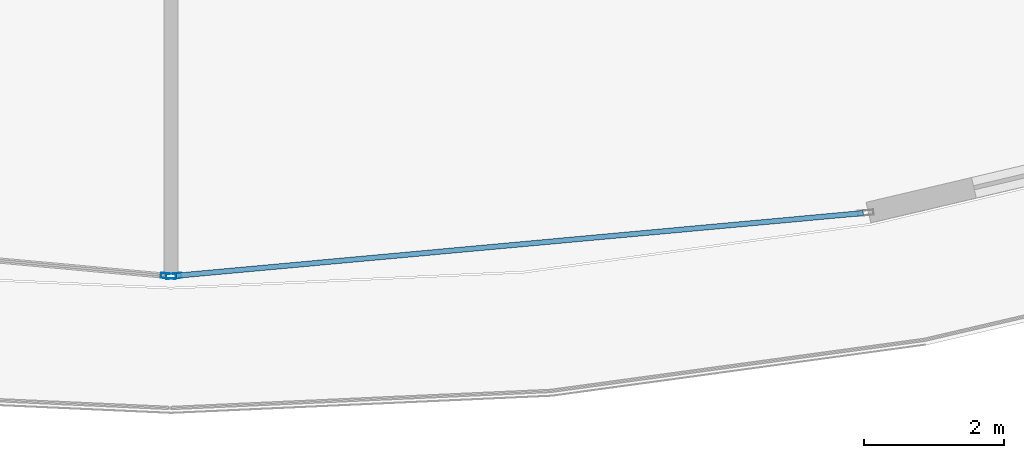
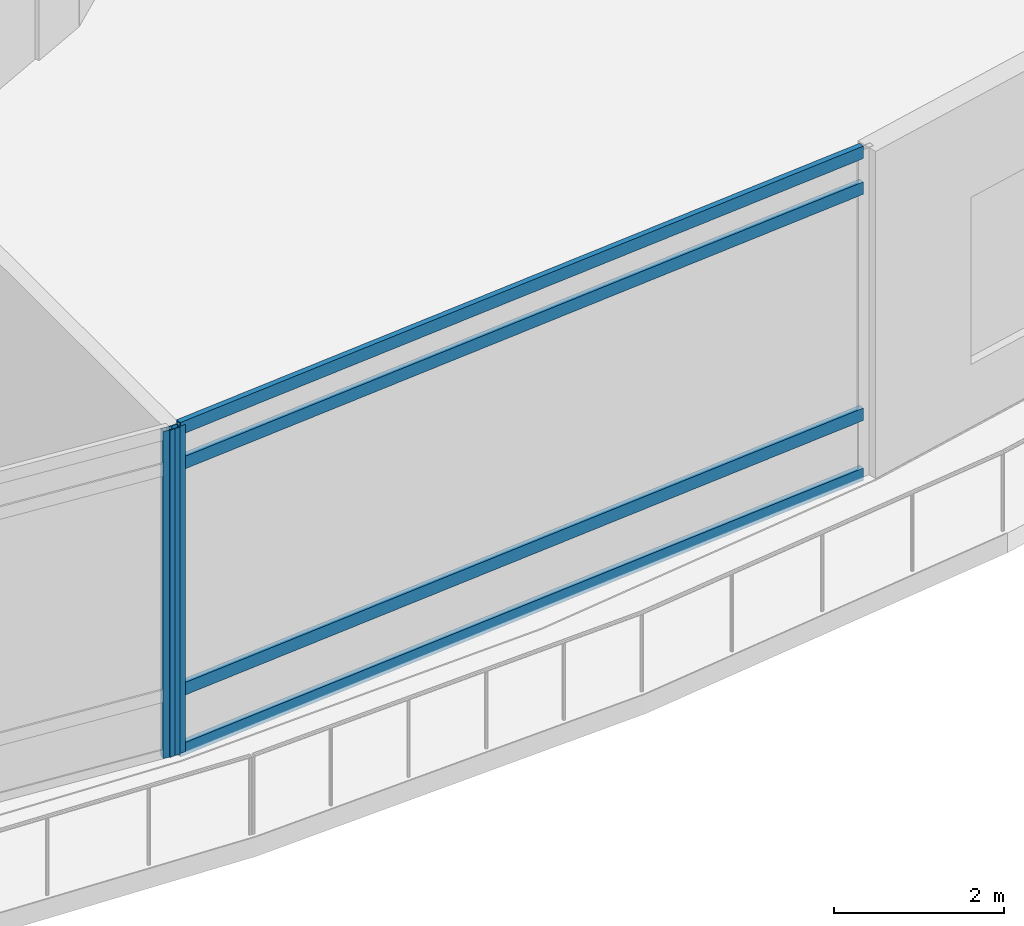
# One storey, part 9 of 37: 6 members, 2 elements without a shape of their own.
"""IFC4 building model written with IfcOpenShell, lengths in metres."""

from ifc_helpers import new_model, si_unit, direction, frame, origin, origin_2d, place, context, subcontext, project, spatial, hollow_rectangle, extrude, material, layer, layer_set, material_profile, profile_set, type_object, element, aggregate, save


model = new_model("IFC4")

# Units and contexts
model_context = context("Model", 3, precision=1e-05, world=origin(), true_north=direction((0.0, 1.0)))
body_context = subcontext(model_context, "Body", "Model", "MODEL_VIEW")
ifc_project = project(units=[si_unit("LENGTHUNIT", "METRE"), si_unit("AREAUNIT", "SQUARE_METRE"), si_unit("VOLUMEUNIT", "CUBIC_METRE"), si_unit("PLANEANGLEUNIT", "RADIAN"), si_unit("MASSUNIT", "GRAM", prefix="KILO")], contexts=[model_context])

# Site, building, storey
site_placement = place(None, origin())
site = spatial("IfcSite", under=ifc_project, at=site_placement, CompositionType="ELEMENT")
building_placement = place(site_placement, origin())
building = spatial("IfcBuilding", under=site, at=building_placement, Name="Nuhasar Tower", CompositionType="ELEMENT")
storey_placement = place(building_placement, frame((0.0, 0.0, 6.0)))
storey = spatial("IfcBuildingStorey", under=building, at=storey_placement, Name="L01", CompositionType="ELEMENT", Elevation=6.0)

# Curtain wall, member
ifc_material = material(Name="Aluminium 6063-T6", Category="aluminium")
ifc_layer = layer(ifc_material, 0.219970703125)
ifc_layer_set = layer_set([ifc_layer], Name="Aluminium 6063-T6")
curtain_wall_type = type_object("IfcCurtainWallType", Name="CW-PODIUM", PredefinedType="NOTDEFINED", material=ifc_layer_set)
curtain_wall_1_placement = place(storey_placement, origin())
curtain_wall_1 = element("IfcCurtainWall", 1, at=curtain_wall_1_placement, inside=storey, type_object=curtain_wall_type, Name="L01 Podium Curtain Wall Bay 18", PredefinedType="NOTDEFINED")
ifc_material_profile_1 = material_profile(ifc_material, hollow_rectangle(XDim=0.074951171875, YDim=0.219970703125, WallThickness=0.0048828125, at=origin_2d()), Name="CWM-1")
ifc_profile_set_1 = profile_set([ifc_material_profile_1], Name="Aluminium 6063-T6")
member_type_1 = type_object("IfcMemberType", Name="CW-MUL-S1", PredefinedType="MULLION", material=ifc_profile_set_1)
member_1_placement = place(storey_placement, frame((38.962646484375, 0.163330078125, 0.0), z_axis=(0.0, 0.0, 1.0), x_axis=(0.090887719437, 0.995861146172, 0.0)))
member_1 = element("IfcMember", 2, at=member_1_placement, type_object=member_type_1, Name="CW-P1 mullion 2", PredefinedType="MULLION", context=body_context, shape_type="SweptSolid", body=[
    extrude(hollow_rectangle(XDim=0.074951171875, YDim=0.219970703125, WallThickness=0.0048828125, at=origin_2d()), origin(), (0.0, 0.0, 1.0), 4.699951171875),
])
aggregate(curtain_wall_1, [member_1])

# Curtain wall, members
curtain_wall_2_placement = place(storey_placement, origin())
curtain_wall_2 = element("IfcCurtainWall", 3, at=curtain_wall_2_placement, inside=storey, type_object=curtain_wall_type, Name="L01 Podium Curtain Wall Bay 19", PredefinedType="NOTDEFINED")
member_2_placement = place(storey_placement, frame((39.037353515625, 0.163330078125, 0.0), z_axis=(0.0, 0.0, 1.0), x_axis=(-0.090887719437, 0.995861146172, 0.0)))
member_2 = element("IfcMember", 4, at=member_2_placement, type_object=member_type_1, Name="CW-P1 mullion 1", PredefinedType="MULLION", context=body_context, shape_type="SweptSolid", body=[
    extrude(hollow_rectangle(XDim=0.074951171875, YDim=0.219970703125, WallThickness=0.0048828125, at=origin_2d()), origin(), (0.0, 0.0, 1.0), 4.699951171875),
])
ifc_material_profile_2 = material_profile(ifc_material, hollow_rectangle(XDim=0.074951171875, YDim=0.179931640625, WallThickness=0.00439453125, at=origin_2d()), Name="CWT-1")
ifc_profile_set_2 = profile_set([ifc_material_profile_2], Name="Aluminium 6063-T6")
member_type_2 = type_object("IfcMemberType", Name="CW-TRN-S1", PredefinedType="USERDEFINED", material=ifc_profile_set_2)
member_3_placement = place(storey_placement, frame((39.07470703125, 0.166748046875, 0.03759765625), z_axis=(0.995859583189, 0.090904843489, 0.0), x_axis=(-0.090904843489, 0.995859583189, 0.0)))
member_3 = element("IfcMember", 5, at=member_3_placement, type_object=member_type_2, Name="CW-P1 transom 1.1", ObjectType="TRANSOM", PredefinedType="USERDEFINED", context=body_context, shape_type="SweptSolid", body=[
    extrude(hollow_rectangle(XDim=0.074951171875, YDim=0.179931640625, WallThickness=0.00439453125, at=origin_2d()), origin(), (0.0, 0.0, 1.0), 9.84033203125),
])
member_4_placement = place(storey_placement, frame((39.07470703125, 0.166748046875, 0.89990234375), z_axis=(0.995859583189, 0.090904843489, 0.0), x_axis=(-0.090904843489, 0.995859583189, 0.0)))
member_4 = element("IfcMember", 6, at=member_4_placement, type_object=member_type_2, Name="CW-P1 transom 1.2", ObjectType="TRANSOM", PredefinedType="USERDEFINED", context=body_context, shape_type="SweptSolid", body=[
    extrude(hollow_rectangle(XDim=0.074951171875, YDim=0.179931640625, WallThickness=0.00439453125, at=origin_2d()), origin(), (0.0, 0.0, 1.0), 9.84033203125),
])
member_5_placement = place(storey_placement, frame((39.07470703125, 0.166748046875, 4.14990234375), z_axis=(0.995859583189, 0.090904843489, 0.0), x_axis=(-0.090904843489, 0.995859583189, 0.0)))
member_5 = element("IfcMember", 7, at=member_5_placement, type_object=member_type_2, Name="CW-P1 transom 1.3", ObjectType="TRANSOM", PredefinedType="USERDEFINED", context=body_context, shape_type="SweptSolid", body=[
    extrude(hollow_rectangle(XDim=0.074951171875, YDim=0.179931640625, WallThickness=0.00439453125, at=origin_2d()), origin(), (0.0, 0.0, 1.0), 9.84033203125),
])
member_6_placement = place(storey_placement, frame((39.07470703125, 0.166748046875, 4.66259765625), z_axis=(0.995859583189, 0.090904843489, 0.0), x_axis=(-0.090904843489, 0.995859583189, 0.0)))
member_6 = element("IfcMember", 8, at=member_6_placement, type_object=member_type_2, Name="CW-P1 transom 1.4", ObjectType="TRANSOM", PredefinedType="USERDEFINED", context=body_context, shape_type="SweptSolid", body=[
    extrude(hollow_rectangle(XDim=0.074951171875, YDim=0.179931640625, WallThickness=0.00439453125, at=origin_2d()), origin(), (0.0, 0.0, 1.0), 9.84033203125),
])
aggregate(curtain_wall_2, [member_2, member_3, member_4, member_5, member_6])

save(model, "model.ifc")
